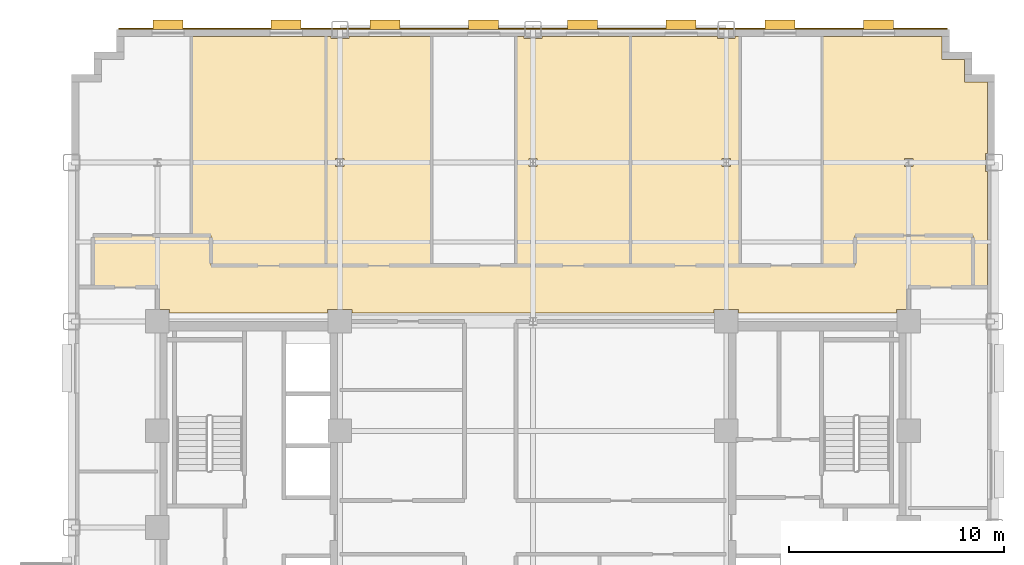
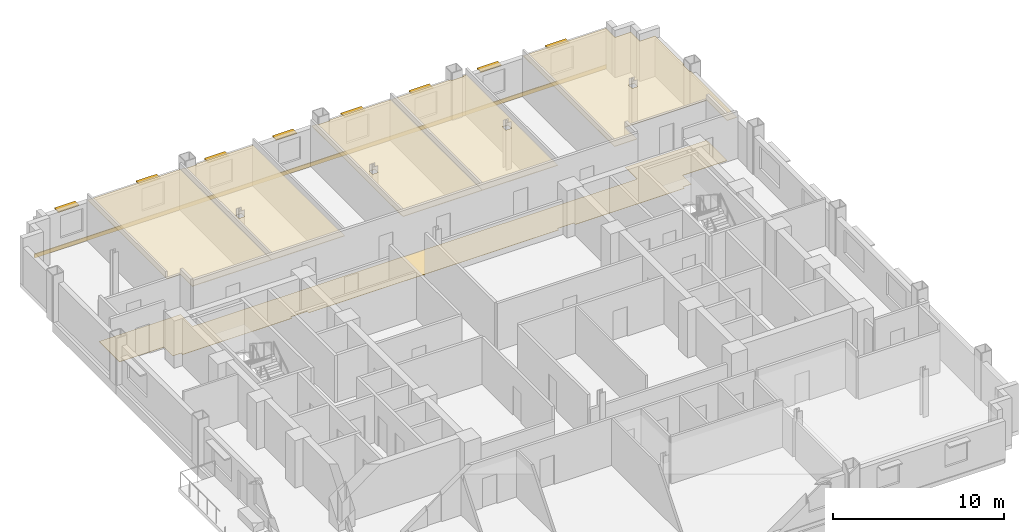
# One storey, part 14 of 14: 8 shading devices, 7 coverings.
"""IFC4 building model written with IfcOpenShell, lengths in metres."""

from ifc_helpers import new_model, si_unit, direction, frame, origin, origin_2d, place, context, subcontext, project, spatial, polyline, rectangle, outline, extrude, source, transform, mapped, material, layer, layer_set, type_object, type_shapes, element, save


model = new_model("IFC4")

# Units and contexts
model_context = context("Model", 3, precision=1e-05, world=origin(), true_north=direction((0.0, 1.0)))
body_context = subcontext(model_context, "Body", "Model", "MODEL_VIEW")
ifc_project = project(units=[si_unit("LENGTHUNIT", "METRE"), si_unit("AREAUNIT", "SQUARE_METRE"), si_unit("VOLUMEUNIT", "CUBIC_METRE"), si_unit("PLANEANGLEUNIT", "RADIAN"), si_unit("MASSUNIT", "GRAM", prefix="KILO")], contexts=[model_context])

# Site, building, storey
site_placement = place(None, origin())
site = spatial("IfcSite", under=ifc_project, at=site_placement, CompositionType="ELEMENT")
building_placement = place(site_placement, origin())
building = spatial("IfcBuilding", under=site, at=building_placement, Name="Nuvemarco Arch Tower", CompositionType="ELEMENT")
storey_placement = place(building_placement, frame((0.0, 0.0, 60.449951171875)))
storey = spatial("IfcBuildingStorey", under=building, at=storey_placement, Name="L15", CompositionType="ELEMENT", Elevation=60.449951171875)

# Coverings
ifc_material_1 = material(Name="Mineral acoustic ceiling tile")
ifc_layer_1 = layer(ifc_material_1, 0.0400390625, Name="COV-ACOUSTIC-CLG")
ifc_layer_set_1 = layer_set([ifc_layer_1], Name="Mineral acoustic ceiling tile")
covering_type_1 = type_object("IfcCoveringType", Name="COV-ACOUSTIC-CLG", PredefinedType="CEILING", material=ifc_layer_set_1)
covering_1_placement = place(storey_placement, frame((0.0, 0.0, 2.85009765625)))
element("IfcCovering", 1, at=covering_1_placement, inside=storey, type_object=covering_type_1, Name="L15 suspended acoustic ceiling 3", PredefinedType="CEILING", context=body_context, shape_type="SweptSolid", body=[
    extrude(outline(polyline([(21.159912109375, 20.760009765625), (21.159912109375, 17.4150390625), (21.0849609375, 17.4150390625), (21.0849609375, 16.5849609375), (21.159912109375, 16.5849609375), (21.159912109375, 11.199951171875), (20.5, 11.199951171875), (20.5, 13.60009765625), (15.0, 13.60009765625), (15.0, 12.199951171875), (13.469970703125, 12.199951171875), (13.469970703125, 22.860107421875), (19.06005859375, 22.860107421875), (19.06005859375, 21.81005859375), (20.110107421875, 21.81005859375), (20.110107421875, 20.760009765625), (21.159912109375, 20.760009765625)]), holes=[polyline([(17.695068359375, 16.804931640625), (17.695068359375, 17.195068359375), (17.304931640625, 17.195068359375), (17.304931640625, 16.804931640625), (17.695068359375, 16.804931640625)])]), origin(), (0.0, 0.0, 1.0), 0.0400390625),
])
covering_2_placement = place(storey_placement, frame((0.0, 0.0, 2.85009765625)))
element("IfcCovering", 2, at=covering_2_placement, inside=storey, type_object=covering_type_1, Name="L15 suspended acoustic ceiling 4", PredefinedType="CEILING", context=body_context, shape_type="SweptSolid", body=[
    extrude(outline(polyline([(-9.64990234375, 22.860107421875), (-9.64990234375, 12.199951171875), (-15.0, 12.199951171875), (-15.0, 13.60009765625), (-15.909912109375, 13.60009765625), (-15.909912109375, 22.860107421875), (-9.64990234375, 22.860107421875)])), origin(), (0.0, 0.0, 1.0), 0.0400390625),
])
covering_3_placement = place(storey_placement, frame((0.0, 0.0, 2.85009765625)))
element("IfcCovering", 3, at=covering_3_placement, inside=storey, type_object=covering_type_1, Name="L15 suspended acoustic ceiling 5", PredefinedType="CEILING", context=body_context, shape_type="SweptSolid", body=[
    extrude(outline(polyline([(4.550048828125, 12.199951171875), (-0.800048828125, 12.199951171875), (-0.800048828125, 22.860107421875), (-0.4150390625, 22.860107421875), (-0.4150390625, 22.784912109375), (0.4150390625, 22.784912109375), (0.4150390625, 22.860107421875), (4.550048828125, 22.860107421875), (4.550048828125, 12.199951171875)]), holes=[polyline([(0.195068359375, 16.804931640625), (0.195068359375, 17.195068359375), (-0.195068359375, 17.195068359375), (-0.195068359375, 16.804931640625), (0.195068359375, 16.804931640625)])]), origin(), (0.0, 0.0, 1.0), 0.0400390625),
])
covering_4_placement = place(storey_placement, frame((0.0, 0.0, 2.85009765625)))
element("IfcCovering", 4, at=covering_4_placement, inside=storey, type_object=covering_type_1, Name="L15 suspended acoustic ceiling 6", PredefinedType="CEILING", context=body_context, shape_type="SweptSolid", body=[
    extrude(outline(polyline([(9.64990234375, 12.199951171875), (4.550048828125, 12.199951171875), (4.550048828125, 22.860107421875), (8.5849609375, 22.860107421875), (8.5849609375, 22.784912109375), (9.4150390625, 22.784912109375), (9.4150390625, 22.860107421875), (9.64990234375, 22.860107421875), (9.64990234375, 12.199951171875)]), holes=[polyline([(9.195068359375, 17.195068359375), (8.804931640625, 17.195068359375), (8.804931640625, 16.804931640625), (9.195068359375, 16.804931640625), (9.195068359375, 17.195068359375)])]), origin(), (0.0, 0.0, 1.0), 0.0400390625),
])
covering_5_placement = place(storey_placement, frame((0.0, 0.0, 2.85009765625)))
element("IfcCovering", 5, at=covering_5_placement, inside=storey, type_object=covering_type_1, Name="L15 suspended acoustic ceiling 7", PredefinedType="CEILING", context=body_context, shape_type="SweptSolid", body=[
    extrude(outline(polyline([(-4.72998046875, 12.199951171875), (-9.64990234375, 12.199951171875), (-9.64990234375, 22.860107421875), (-9.4150390625, 22.860107421875), (-9.4150390625, 22.784912109375), (-8.5849609375, 22.784912109375), (-8.5849609375, 22.860107421875), (-4.72998046875, 22.860107421875), (-4.72998046875, 12.199951171875)]), holes=[polyline([(-8.804931640625, 16.804931640625), (-8.804931640625, 17.195068359375), (-9.195068359375, 17.195068359375), (-9.195068359375, 16.804931640625), (-8.804931640625, 16.804931640625)])]), origin(), (0.0, 0.0, 1.0), 0.0400390625),
])
ifc_material_2 = material(Name="Polished granite terrazzostone flooring", Category="masonry")
ifc_layer_2 = layer(ifc_material_2, 0.02001953125, Name="COV-LOBBY-FLR")
ifc_layer_set_2 = layer_set([ifc_layer_2], Name="Polished granite terrazzostone flooring")
covering_type_2 = type_object("IfcCoveringType", Name="COV-LOBBY-FLR", PredefinedType="FLOORING", material=ifc_layer_set_2)
covering_6_placement = place(storey_placement, origin())
element("IfcCovering", 6, at=covering_6_placement, inside=storey, type_object=covering_type_2, Name="L15 polished terrazzo lobby flooring", PredefinedType="FLOORING", context=body_context, shape_type="SweptSolid", body=[
    extrude(outline(polyline([(-8.43505859375, 10.1650390625), (-9.56494140625, 10.1650390625), (-9.56494140625, 10.0), (-16.93505859375, 10.0), (-16.93505859375, 10.1650390625), (-17.5, 10.1650390625), (-17.5, 11.199951171875), (-20.5, 11.199951171875), (-20.5, 13.60009765625), (-15.0, 13.60009765625), (-15.0, 12.199951171875), (-3.199951171875, 12.199951171875), (-0.800048828125, 12.199951171875), (15.0, 12.199951171875), (15.0, 13.60009765625), (20.5, 13.60009765625), (20.5, 11.199951171875), (17.5, 11.199951171875), (17.5, 10.1650390625), (16.93505859375, 10.1650390625), (16.93505859375, 10.0), (9.56494140625, 10.0), (9.56494140625, 10.1650390625), (8.43505859375, 10.1650390625), (8.43505859375, 10.0), (-8.43505859375, 10.0), (-8.43505859375, 10.1650390625)])), origin(), (0.0, 0.0, 1.0), 0.02001953125),
])

# Shading devices
ifc_material_3 = material(Name="Anodised aluminium 6063-T6", Category="aluminium")
shading_device_type = type_object("IfcShadingDeviceType", Name="SHD-BRISE-NARROW", PredefinedType="USERDEFINED", material=ifc_material_3)
shared_shape_1 = source(origin(), body_context, "Body", "SweptSolid", [
    extrude(rectangle(XDim=1.39990234375, YDim=0.449951171875, at=origin_2d()), origin(), (0.0, 0.0, 1.0), 0.080078125),
])
type_shapes(shading_device_type, [shared_shape_1])
for number, where, z_axis, x_axis, name in (
    (7, (-17.0, 23.4150390625, 2.405029296875), (0.0, 0.0, 1.0), (1.0, 0.0, 0.0), "L15 horizontal brise-soleil sunshade"),
    (8, (-11.5, 23.4150390625, 2.405029296875), (0.0, 0.0, 1.0), (1.0, 0.0, 0.0), "L15 horizontal brise-soleil sunshade"),
    (9, (-6.89990234375, 23.4150390625, 2.405029296875), (0.0, 0.0, 1.0), (1.0, 0.0, 0.0), "L15 horizontal brise-soleil sunshade"),
    (10, (-2.300048828125, 23.4150390625, 2.405029296875), (0.0, 0.0, 1.0), (1.0, 0.0, 0.0), "L15 horizontal brise-soleil sunshade"),
    (11, (2.300048828125, 23.4150390625, 2.405029296875), (0.0, 0.0, 1.0), (1.0, 0.0, 0.0), "L15 horizontal brise-soleil sunshade"),
    (12, (6.89990234375, 23.4150390625, 2.405029296875), (0.0, 0.0, 1.0), (1.0, 0.0, 0.0), "L15 horizontal brise-soleil sunshade"),
    (13, (11.5, 23.4150390625, 2.405029296875), (0.0, 0.0, 1.0), (1.0, 0.0, 0.0), "L15 horizontal brise-soleil sunshade"),
    (14, (16.10009765625, 23.4150390625, 2.405029296875), (0.0, 0.0, 1.0), (1.0, 0.0, 0.0), "L15 horizontal brise-soleil sunshade"),
):
    element("IfcShadingDevice", number, at=place(storey_placement, frame(where, z_axis=z_axis, x_axis=x_axis)), inside=storey, type_object=shading_device_type, Name=name, ObjectType="SUNSHADE", PredefinedType="USERDEFINED", context=body_context, shape_type="MappedRepresentation", body=[
        mapped(shared_shape_1, transform((0.0, 0.0, 0.0), scale=1.0)),
    ])

# Covering
ifc_material_4 = material(Name="Precast concrete C45/55", Category="concrete")
ifc_layer_3 = layer(ifc_material_4, 0.06005859375, Name="COV-SPANDREL-CLAD")
ifc_layer_set_3 = layer_set([ifc_layer_3], Name="Precast concrete C45/55")
covering_type_3 = type_object("IfcCoveringType", Name="COV-SPANDREL-CLAD", PredefinedType="CLADDING", material=ifc_layer_set_3)
shared_shape_2 = source(origin(), body_context, "Body", "SweptSolid", [
    extrude(rectangle(XDim=38.60009765625, YDim=0.06005859375, at=origin_2d()), origin(), (0.0, 0.0, 1.0), 0.280029296875),
])
type_shapes(covering_type_3, [shared_shape_2])
covering_7_placement = place(storey_placement, frame((0.0, 23.22900390625, -0.27978515625), z_axis=(0.0, 0.0, 1.0), x_axis=(1.0, 0.0, 0.0)))
element("IfcCovering", 15, at=covering_7_placement, inside=storey, type_object=covering_type_3, Name="L15 precast spandrel edge cladding north", PredefinedType="CLADDING", context=body_context, shape_type="MappedRepresentation", body=[
    mapped(shared_shape_2, transform((0.0, 0.0, 0.0), scale=1.0)),
])

save(model, "model.ifc")
